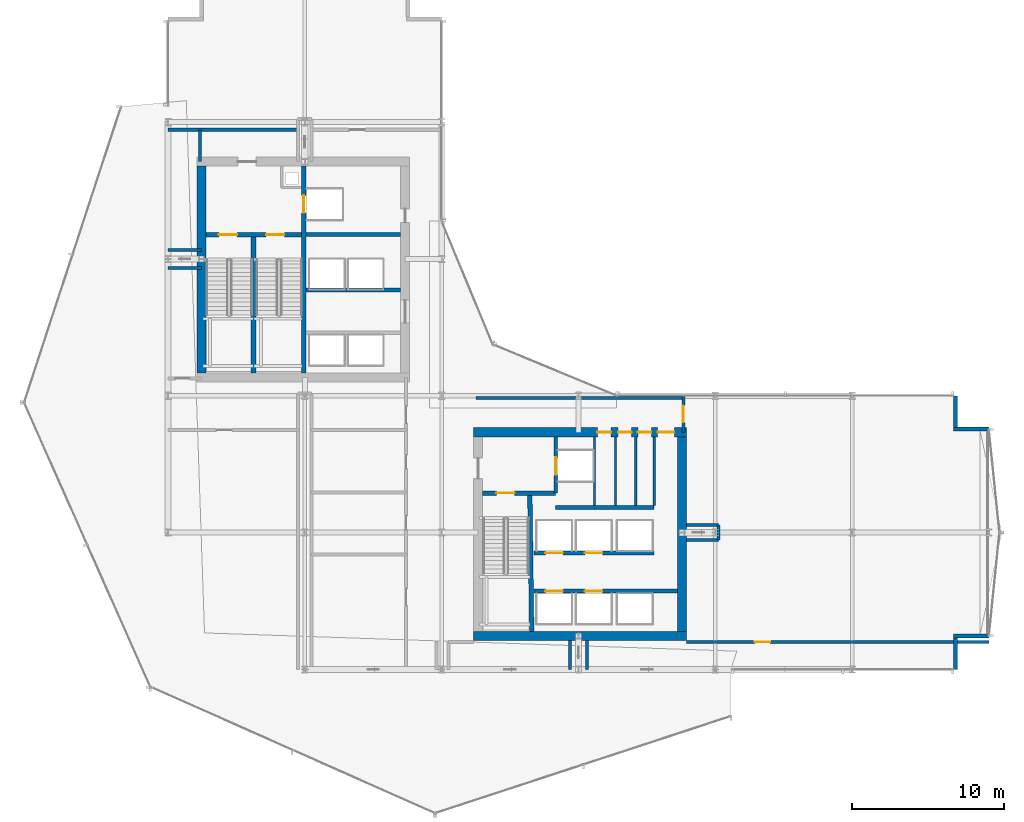
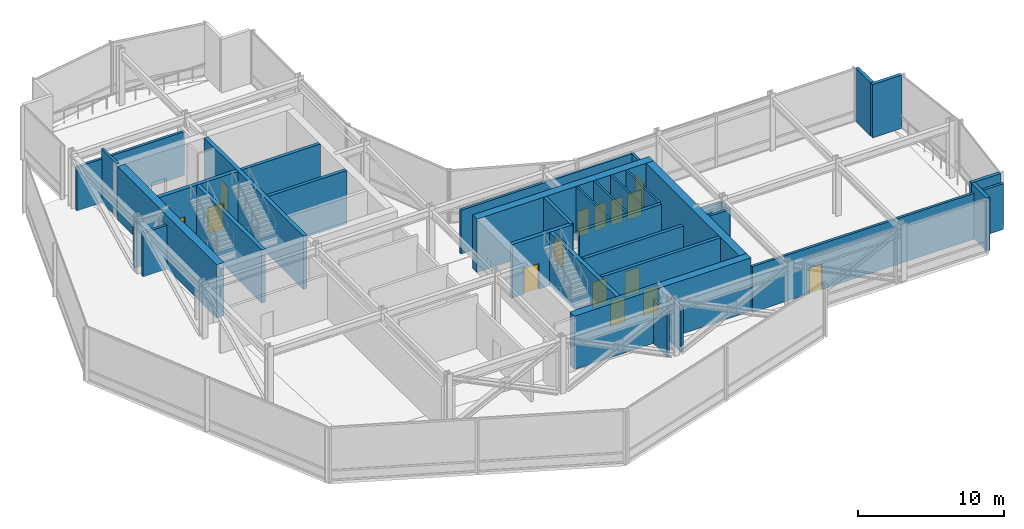
# One storey, part 35 of 42: 35 walls, 15 doors, 15 openings.
"""IFC4 building model written with IfcOpenShell, lengths in metres."""

from ifc_helpers import new_model, si_unit, direction, frame, frame_2d, origin, place, context, subcontext, project, spatial, rectangle, extrude, material, layer, layer_set, type_object, element, fill, save


model = new_model("IFC4")

# Units and contexts
model_context = context("Model", 3, precision=1e-05, world=origin(), true_north=direction((0.0, 1.0)))
body_context = subcontext(model_context, "Body", "Model", "MODEL_VIEW")
ifc_project = project(units=[si_unit("LENGTHUNIT", "METRE"), si_unit("AREAUNIT", "SQUARE_METRE"), si_unit("VOLUMEUNIT", "CUBIC_METRE"), si_unit("PLANEANGLEUNIT", "RADIAN"), si_unit("MASSUNIT", "GRAM", prefix="KILO")], contexts=[model_context])

# Site, building, storey
site_placement = place(None, origin())
site = spatial("IfcSite", under=ifc_project, at=site_placement, CompositionType="ELEMENT")
building_placement = place(site_placement, origin())
building = spatial("IfcBuilding", under=site, at=building_placement, Name="Solvaryn Broadcast Tower", CompositionType="ELEMENT")
storey_placement = place(building_placement, frame((0.0, 0.0, 100.199951171875)))
storey = spatial("IfcBuildingStorey", under=building, at=storey_placement, Name="L24", CompositionType="ELEMENT", Elevation=100.199951171875)

# Walls
ifc_material_1 = material(Name="Concrete f'c 70 MPa", Category="concrete")
ifc_layer_1 = layer(ifc_material_1, 0.60009765625)
ifc_layer_set_1 = layer_set([ifc_layer_1], Name="CW-SHEAR-600")
wall_type_1 = type_object("IfcWallType", Name="CW-SHEAR-600", PredefinedType="SHEAR", material=ifc_layer_set_1)
wall_1_placement = place(storey_placement, frame((11.199951171875, 42.10009765625, 0.0), z_axis=(0.0, 0.0, 1.0), x_axis=(0.0, -1.0, 0.0)))
element("IfcWall", 1, at=wall_1_placement, inside=storey, type_object=wall_type_1, Name="L24 West Core West Shear Wall", PredefinedType="SHEAR", context=body_context, shape_type="SweptSolid", body=[
    extrude(rectangle(XDim=13.60009765625, YDim=0.60009765625, at=frame_2d((6.800048828125, 0.0))), origin(), (0.0, 0.0, 1.0), 4.469970703125),
])
wall_2_placement = place(storey_placement, frame((29.10009765625, 11.199951171875, 0.0), z_axis=(0.0, 0.0, 1.0), x_axis=(1.0, 0.0, 0.0)))
element("IfcWall", 2, at=wall_2_placement, inside=storey, type_object=wall_type_1, Name="L24 East Core South Shear Wall", PredefinedType="SHEAR", context=body_context, shape_type="SweptSolid", body=[
    extrude(rectangle(XDim=14.0, YDim=0.60009765625, at=frame_2d((7.0, 0.0))), origin(), (0.0, 0.0, 1.0), 4.469970703125),
])

# Wall, openings, doors
wall_3_placement = place(storey_placement, frame((43.10009765625, 24.60009765625, 0.0), z_axis=(0.0, 0.0, 1.0), x_axis=(-1.0, 0.0, 0.0)))
wall_3 = element("IfcWall", 3, at=wall_3_placement, inside=storey, type_object=wall_type_1, Name="L24 East Core North Shear Wall", PredefinedType="SHEAR", context=body_context, shape_type="SweptSolid", body=[
    extrude(rectangle(XDim=14.0, YDim=0.60009765625, at=frame_2d((7.0, 0.0))), origin(), (0.0, 0.0, 1.0), 4.469970703125),
])
opening_1_placement = place(wall_3_placement, frame((0.800048828125, 0.0, 0.0)))
opening_1 = element("IfcOpeningElement", 4, at=opening_1_placement, cuts=wall_3, Name="Opening FD90C", PredefinedType="OPENING", context=body_context, shape_type="SweptSolid", body=[
    extrude(rectangle(XDim=1.10009765625, YDim=2.14990234375, at=frame_2d((0.550048828125, 1.074951171875))), frame((0.0, 0.31005859375, 0.0), z_axis=(0.0, -1.0, 0.0), x_axis=(1.0, 0.0, 0.0)), (0.0, 0.0, 1.0), 0.6201171875),
])
opening_2_placement = place(wall_3_placement, frame((2.300048828125, 0.0, 0.0)))
opening_2 = element("IfcOpeningElement", 5, at=opening_2_placement, cuts=wall_3, Name="Opening FD60C", PredefinedType="OPENING", context=body_context, shape_type="SweptSolid", body=[
    extrude(rectangle(XDim=0.89990234375, YDim=2.10009765625, at=frame_2d((0.449951171875, 1.050048828125))), frame((0.0, 0.31005859375, 0.0), z_axis=(0.0, -1.0, 0.0), x_axis=(1.0, 0.0, 0.0)), (0.0, 0.0, 1.0), 0.6201171875),
])
opening_3_placement = place(wall_3_placement, frame((3.60009765625, 0.0, 0.0)))
opening_3 = element("IfcOpeningElement", 6, at=opening_3_placement, cuts=wall_3, Name="Opening FD60C", PredefinedType="OPENING", context=body_context, shape_type="SweptSolid", body=[
    extrude(rectangle(XDim=0.89990234375, YDim=2.10009765625, at=frame_2d((0.449951171875, 1.050048828125))), frame((0.0, 0.31005859375, 0.0), z_axis=(0.0, -1.0, 0.0), x_axis=(1.0, 0.0, 0.0)), (0.0, 0.0, 1.0), 0.6201171875),
])
opening_4_placement = place(wall_3_placement, frame((4.949951171875, 0.0, 0.0)))
opening_4 = element("IfcOpeningElement", 7, at=opening_4_placement, cuts=wall_3, Name="Opening FD60C", PredefinedType="OPENING", context=body_context, shape_type="SweptSolid", body=[
    extrude(rectangle(XDim=0.89990234375, YDim=2.10009765625, at=frame_2d((0.449951171875, 1.050048828125))), frame((0.0, 0.31005859375, 0.0), z_axis=(0.0, -1.0, 0.0), x_axis=(1.0, 0.0, 0.0)), (0.0, 0.0, 1.0), 0.6201171875),
])
ifc_material_2 = material(Name="Flush Acoustic Steel and Timber Door Assembly", Category="steel")
door_type_1 = type_object("IfcDoorType", Name="FD60-SERV-900X2100", OperationType="NOTDEFINED", PredefinedType="DOOR", material=ifc_material_2)
door_1_placement = place(opening_2_placement, origin())
door_1 = element("IfcDoor", 8, at=door_1_placement, inside=storey, type_object=door_type_1, Name="L24 Core Wellness Room Door", OperationType="SINGLE_SWING_RIGHT", OverallHeight=2.10009765625, OverallWidth=0.89990234375, PredefinedType="DOOR", context=body_context, shape_type="SweptSolid", body=[
    extrude(rectangle(XDim=0.89990234375, YDim=2.10009765625, at=frame_2d((0.449951171875, 1.050048828125))), frame((0.0, 0.02490234375, 0.0), z_axis=(0.0, -1.0, 0.0), x_axis=(1.0, 0.0, 0.0)), (0.0, 0.0, 1.0), 0.050048828125),
])
fill(opening_2, door_1)
door_2_placement = place(opening_3_placement, origin())
door_2 = element("IfcDoor", 9, at=door_2_placement, inside=storey, type_object=door_type_1, Name="L24 Staff Restroom Door", OperationType="SINGLE_SWING_LEFT", OverallHeight=2.10009765625, OverallWidth=0.89990234375, PredefinedType="DOOR", context=body_context, shape_type="SweptSolid", body=[
    extrude(rectangle(XDim=0.89990234375, YDim=2.10009765625, at=frame_2d((0.449951171875, 1.050048828125))), frame((0.0, 0.02490234375, 0.0), z_axis=(0.0, -1.0, 0.0), x_axis=(1.0, 0.0, 0.0)), (0.0, 0.0, 1.0), 0.050048828125),
])
fill(opening_3, door_2)
door_3_placement = place(opening_4_placement, origin())
door_3 = element("IfcDoor", 10, at=door_3_placement, inside=storey, type_object=door_type_1, Name="L24 Accessible WC Door", OperationType="SINGLE_SWING_RIGHT", OverallHeight=2.10009765625, OverallWidth=0.89990234375, PredefinedType="DOOR", context=body_context, shape_type="SweptSolid", body=[
    extrude(rectangle(XDim=0.89990234375, YDim=2.10009765625, at=frame_2d((0.449951171875, 1.050048828125))), frame((0.0, 0.02490234375, 0.0), z_axis=(0.0, -1.0, 0.0), x_axis=(1.0, 0.0, 0.0)), (0.0, 0.0, 1.0), 0.050048828125),
])
fill(opening_4, door_3)
ifc_material_3 = material(Name="Flush Acoustic Steel and Timber Door Assembly", Category="steel")
door_type_2 = type_object("IfcDoorType", Name="FD90-PLANT-1100X2150", OperationType="NOTDEFINED", PredefinedType="DOOR", material=ifc_material_3)
door_4_placement = place(opening_1_placement, origin())
door_4 = element("IfcDoor", 11, at=door_4_placement, inside=storey, type_object=door_type_2, Name="L24 East Core Lobby Corridor Door", OperationType="SINGLE_SWING_LEFT", OverallHeight=2.14990234375, OverallWidth=1.10009765625, PredefinedType="DOOR", context=body_context, shape_type="SweptSolid", body=[
    extrude(rectangle(XDim=1.10009765625, YDim=2.14990234375, at=frame_2d((0.550048828125, 1.074951171875))), frame((0.0, 0.02490234375, 0.0), z_axis=(0.0, -1.0, 0.0), x_axis=(1.0, 0.0, 0.0)), (0.0, 0.0, 1.0), 0.050048828125),
])
fill(opening_1, door_4)

# Walls
wall_4_placement = place(storey_placement, frame((42.800048828125, 11.5, 0.0), z_axis=(0.0, 0.0, 1.0), x_axis=(0.0, 1.0, 0.0)))
element("IfcWall", 12, at=wall_4_placement, inside=storey, type_object=wall_type_1, Name="L24 East Core East Shear Wall", PredefinedType="SHEAR", context=body_context, shape_type="SweptSolid", body=[
    extrude(rectangle(XDim=12.800048828125, YDim=0.60009765625, at=frame_2d((6.39990234375, 0.0))), origin(), (0.0, 0.0, 1.0), 4.469970703125),
])
ifc_material_4 = material(Name="Concrete f'c 50 MPa", Category="concrete")
ifc_layer_2 = layer(ifc_material_4, 0.260009765625)
ifc_layer_set_2 = layer_set([ifc_layer_2], Name="EW-PIER-260")
wall_type_2 = type_object("IfcWallType", Name="EW-PIER-260", PredefinedType="SOLIDWALL", material=ifc_layer_set_2)
wall_5_placement = place(storey_placement, frame((60.800048828125, 9.0, 0.0), z_axis=(0.0, 0.0, 1.0), x_axis=(0.0, 1.0, 0.0)))
element("IfcWall", 13, at=wall_5_placement, inside=storey, type_object=wall_type_2, Name="L24 Notched Corner Pier Wall NSE1", PredefinedType="SOLIDWALL", context=body_context, shape_type="SweptSolid", body=[
    extrude(rectangle(XDim=2.080078125, YDim=0.260009765625, at=frame_2d((1.0400390625, 0.0))), origin(), (0.0, 0.0, 1.0), 4.469970703125),
])
for number, where, z_axis, x_axis, name in (
    (14, (60.679931640625, 11.199951171875, 0.0), (0.0, 0.0, 1.0), (1.0, 0.0, 0.0), "L24 Notched Corner Pier Wall NSE2"),
    (15, (63.0, 24.800048828125, 0.0), (0.0, 0.0, 1.0), (-1.0, 0.0, 0.0), "L24 Notched Corner Pier Wall NEE1"),
):
    element("IfcWall", number, at=place(storey_placement, frame(where, z_axis=z_axis, x_axis=x_axis)), inside=storey, type_object=wall_type_2, Name=name, PredefinedType="SOLIDWALL", context=body_context, shape_type="SweptSolid", body=[
        extrude(rectangle(XDim=2.320068359375, YDim=0.260009765625, at=frame_2d((1.16015625, 0.0))), origin(), (0.0, 0.0, 1.0), 4.469970703125),
    ])
wall_6_placement = place(storey_placement, frame((60.800048828125, 24.919921875, 0.0), z_axis=(0.0, 0.0, 1.0), x_axis=(0.0, 1.0, 0.0)))
element("IfcWall", 16, at=wall_6_placement, inside=storey, type_object=wall_type_2, Name="L24 Notched Corner Pier Wall NEE2", PredefinedType="SOLIDWALL", context=body_context, shape_type="SweptSolid", body=[
    extrude(rectangle(XDim=2.080078125, YDim=0.260009765625, at=frame_2d((1.0400390625, 0.0))), origin(), (0.0, 0.0, 1.0), 4.469970703125),
])
ifc_material_5 = material(Name="Metal-Stud Service Core Partition")
ifc_layer_3 = layer(ifc_material_5, 0.14990234375)
ifc_layer_set_3 = layer_set([ifc_layer_3], Name="IW-PART-150")
wall_type_3 = type_object("IfcWallType", Name="IW-PART-150", PredefinedType="PARTITIONING", material=ifc_layer_set_3)
for number, where, z_axis, x_axis, name in (
    (17, (37.050048828125, 19.780029296875, 0.0), (0.0, 0.0, 1.0), (0.0, 1.0, 0.0), "L24 Interior Partition IW-L24-CE-FL2E"),
    (18, (38.43994140625, 19.780029296875, 0.0), (0.0, 0.0, 1.0), (0.0, 1.0, 0.0), "L24 Interior Partition IW-L24-CE-V1"),
    (19, (39.77001953125, 19.780029296875, 0.0), (0.0, 0.0, 1.0), (0.0, 1.0, 0.0), "L24 Interior Partition IW-L24-CE-V2"),
    (20, (40.97998046875, 19.780029296875, 0.0), (0.0, 0.0, 1.0), (0.0, 1.0, 0.0), "L24 Interior Partition IW-L24-CE-V3"),
):
    element("IfcWall", number, at=place(storey_placement, frame(where, z_axis=z_axis, x_axis=x_axis)), inside=storey, type_object=wall_type_3, Name=name, PredefinedType="PARTITIONING", context=body_context, shape_type="SweptSolid", body=[
        extrude(rectangle(XDim=4.52001953125, YDim=0.14990234375, at=frame_2d((2.260009765625, 0.0))), origin(), (0.0, 0.0, 1.0), 4.469970703125),
    ])
ifc_material_6 = material(Name="Gypsum Fire-Rated Shaftwall Assembly", Category="concrete")
ifc_layer_4 = layer(ifc_material_6, 0.199951171875)
ifc_layer_set_4 = layer_set([ifc_layer_4], Name="IW-RATED-200")
wall_type_4 = type_object("IfcWallType", Name="IW-RATED-200", PredefinedType="PARTITIONING", material=ifc_layer_set_4)
for number, where, z_axis, x_axis, name in (
    (21, (9.0, 35.39990234375, 0.0), (0.0, 0.0, 1.0), (1.0, 0.0, 0.0), "L24 Interior Partition IW-L24-MW3N"),
    (22, (9.0, 36.60009765625, 0.0), (0.0, 0.0, 1.0), (1.0, 0.0, 0.0), "L24 Interior Partition IW-L24-MW3S"),
):
    element("IfcWall", number, at=place(storey_placement, frame(where, z_axis=z_axis, x_axis=x_axis)), inside=storey, type_object=wall_type_4, Name=name, PredefinedType="PARTITIONING", context=body_context, shape_type="SweptSolid", body=[
        extrude(rectangle(XDim=2.199951171875, YDim=0.199951171875, at=frame_2d((1.10009765625, 0.0))), origin(), (0.0, 0.0, 1.0), 3.677001953125),
    ])

# Wall, opening, door
wall_7_placement = place(storey_placement, frame((43.10009765625, 10.800048828125, 0.0), z_axis=(0.0, 0.0, 1.0), x_axis=(1.0, 0.0, 0.0)))
wall_7 = element("IfcWall", 23, at=wall_7_placement, inside=storey, type_object=wall_type_4, Name="L24 Interior Partition IW-L24-MW4B", PredefinedType="PARTITIONING", context=body_context, shape_type="SweptSolid", body=[
    extrude(rectangle(XDim=19.89990234375, YDim=0.199951171875, at=frame_2d((9.949951171875, 0.0))), origin(), (0.0, 0.0, 1.0), 3.842041015625),
])
opening_5_placement = place(wall_7_placement, frame((4.5, 0.0, 0.0)))
opening_5 = element("IfcOpeningElement", 24, at=opening_5_placement, cuts=wall_7, Name="Opening FD90D", PredefinedType="OPENING", context=body_context, shape_type="SweptSolid", body=[
    extrude(rectangle(XDim=1.0, YDim=2.14990234375, at=frame_2d((0.5, 1.074951171875))), frame((0.0, 0.110107421875, 0.0), z_axis=(0.0, -1.0, 0.0), x_axis=(1.0, 0.0, 0.0)), (0.0, 0.0, 1.0), 0.219970703125),
])
ifc_material_7 = material(Name="Flush Acoustic Steel and Timber Door Assembly", Category="steel")
door_type_3 = type_object("IfcDoorType", Name="FD90-FCC-1000X2150", OperationType="NOTDEFINED", PredefinedType="DOOR", material=ifc_material_7)
door_5_placement = place(opening_5_placement, origin())
door_5 = element("IfcDoor", 25, at=door_5_placement, inside=storey, type_object=door_type_3, Name="L24 Door DR-L24-MD5B", OperationType="SINGLE_SWING_RIGHT", OverallHeight=2.14990234375, OverallWidth=1.0, PredefinedType="DOOR", context=body_context, shape_type="SweptSolid", body=[
    extrude(rectangle(XDim=1.0, YDim=2.14990234375, at=frame_2d((0.5, 1.074951171875))), frame((0.0, 0.02490234375, 0.0), z_axis=(0.0, -1.0, 0.0), x_axis=(1.0, 0.0, 0.0)), (0.0, 0.0, 1.0), 0.050048828125),
])
fill(opening_5, door_5)

# Walls
for number, where, z_axis, x_axis, name in (
    (26, (35.449951171875, 9.0, 0.0), (0.0, 0.0, 1.0), (0.0, 1.0, 0.0), "L24 Interior Partition IW-L24-MW4W"),
    (27, (36.550048828125, 9.0, 0.0), (0.0, 0.0, 1.0), (0.0, 1.0, 0.0), "L24 Interior Partition IW-L24-MW4E"),
):
    element("IfcWall", number, at=place(storey_placement, frame(where, z_axis=z_axis, x_axis=x_axis)), inside=storey, type_object=wall_type_4, Name=name, PredefinedType="PARTITIONING", context=body_context, shape_type="SweptSolid", body=[
        extrude(rectangle(XDim=1.89990234375, YDim=0.199951171875, at=frame_2d((0.949951171875, 0.0))), origin(), (0.0, 0.0, 1.0), 3.677001953125),
    ])
wall_8_placement = place(storey_placement, frame((29.25, 26.85009765625, 0.0), z_axis=(0.0, 0.0, 1.0), x_axis=(1.0, 0.0, 0.0)))
element("IfcWall", 28, at=wall_8_placement, inside=storey, type_object=wall_type_4, Name="L24 Interior Partition IW-L24-MW6", PredefinedType="PARTITIONING", context=body_context, shape_type="SweptSolid", body=[
    extrude(rectangle(XDim=13.550048828125, YDim=0.199951171875, at=frame_2d((6.77490234375, 0.0))), origin(), (0.0, 0.0, 1.0), 3.677001953125),
])
wall_9_placement = place(storey_placement, frame((9.0, 44.5, 0.0), z_axis=(0.0, 0.0, 1.0), x_axis=(1.0, 0.0, 0.0)))
element("IfcWall", 29, at=wall_9_placement, inside=storey, type_object=wall_type_4, Name="L24 Interior Partition IW-L24-MW7A", PredefinedType="PARTITIONING", context=body_context, shape_type="SweptSolid", body=[
    extrude(rectangle(XDim=8.550048828125, YDim=0.199951171875, at=frame_2d((4.27490234375, 0.0))), origin(), (0.0, 0.0, 1.0), 3.677001953125),
])
wall_10_placement = place(storey_placement, frame((11.10009765625, 42.39990234375, 0.0), z_axis=(0.0, 0.0, 1.0), x_axis=(0.0, 1.0, 0.0)))
element("IfcWall", 30, at=wall_10_placement, inside=storey, type_object=wall_type_4, Name="L24 Interior Partition IW-L24-MW8", PredefinedType="PARTITIONING", context=body_context, shape_type="SweptSolid", body=[
    extrude(rectangle(XDim=2.10009765625, YDim=0.199951171875, at=frame_2d((1.050048828125, 0.0))), origin(), (0.0, 0.0, 1.0), 4.469970703125),
])

# Wall, opening, door
wall_11_placement = place(storey_placement, frame((42.89990234375, 24.60009765625, 0.0), z_axis=(0.0, 0.0, 1.0), x_axis=(0.0, 1.0, 0.0)))
wall_11 = element("IfcWall", 31, at=wall_11_placement, inside=storey, type_object=wall_type_4, Name="L24 Interior Partition IW-L24-MW9", PredefinedType="PARTITIONING", context=body_context, shape_type="SweptSolid", body=[
    extrude(rectangle(XDim=2.39990234375, YDim=0.199951171875, at=frame_2d((1.199951171875, 0.0))), origin(), (0.0, 0.0, 1.0), 3.677001953125),
])
opening_6_placement = place(wall_11_placement, frame((0.64990234375, 0.0, 0.0)))
opening_6 = element("IfcOpeningElement", 32, at=opening_6_placement, cuts=wall_11, Name="Opening FD90C", PredefinedType="OPENING", context=body_context, shape_type="SweptSolid", body=[
    extrude(rectangle(XDim=1.10009765625, YDim=2.14990234375, at=frame_2d((0.550048828125, 1.074951171875))), frame((0.0, 0.110107421875, 0.0), z_axis=(0.0, -1.0, 0.0), x_axis=(1.0, 0.0, 0.0)), (0.0, 0.0, 1.0), 0.219970703125),
])
door_6_placement = place(opening_6_placement, origin())
door_6 = element("IfcDoor", 33, at=door_6_placement, inside=storey, type_object=door_type_2, Name="L24 Door DR-L24-MD5A", OperationType="SINGLE_SWING_LEFT", OverallHeight=2.14990234375, OverallWidth=1.10009765625, PredefinedType="DOOR", context=body_context, shape_type="SweptSolid", body=[
    extrude(rectangle(XDim=1.10009765625, YDim=2.14990234375, at=frame_2d((0.550048828125, 1.074951171875))), frame((0.0, 0.02490234375, 0.0), z_axis=(0.0, -1.0, 0.0), x_axis=(1.0, 0.0, 0.0)), (0.0, 0.0, 1.0), 0.050048828125),
])
fill(opening_6, door_6)

# Walls
for number, where, z_axis, x_axis, name in (
    (34, (43.10009765625, 18.5, 0.0), (0.0, 0.0, 1.0), (1.0, 0.0, 0.0), "L24 Interior Partition IW-L24-MW9N"),
    (35, (43.10009765625, 17.5, 0.0), (0.0, 0.0, 1.0), (1.0, 0.0, 0.0), "L24 Interior Partition IW-L24-MW9S"),
):
    element("IfcWall", number, at=place(storey_placement, frame(where, z_axis=z_axis, x_axis=x_axis)), inside=storey, type_object=wall_type_4, Name=name, PredefinedType="PARTITIONING", context=body_context, shape_type="SweptSolid", body=[
        extrude(rectangle(XDim=2.099853515625, YDim=0.199951171875, at=frame_2d((1.0498046875, 0.0))), origin(), (0.0, 0.0, 1.0), 3.842041015625),
    ])
wall_12_placement = place(storey_placement, frame((45.199951171875, 17.5, 0.0), z_axis=(0.0, 0.0, 1.0), x_axis=(0.0, 1.0, 0.0)))
element("IfcWall", 36, at=wall_12_placement, inside=storey, type_object=wall_type_4, Name="L24 Interior Partition IW-L24-MW9E", PredefinedType="PARTITIONING", context=body_context, shape_type="SweptSolid", body=[
    extrude(rectangle(XDim=1.0, YDim=0.199951171875, at=frame_2d((0.5, 0.0))), origin(), (0.0, 0.0, 1.0), 3.839111328125),
])
ifc_material_8 = material(Name="Concrete f'c 60 MPa", Category="concrete")
ifc_layer_5 = layer(ifc_material_8, 0.25)
ifc_layer_set_5 = layer_set([ifc_layer_5], Name="SW-SHAFT-250")
wall_type_5 = type_object("IfcWallType", Name="SW-SHAFT-250", PredefinedType="PARTITIONING", material=ifc_layer_set_5)
for number, where, z_axis, x_axis, name in (
    (37, (18.070068359375, 37.60009765625, 0.0), (0.0, 0.0, 1.0), (1.0, 0.0, 0.0), "L24 West Core FSAE Hoistway Front Wall"),
    (38, (24.300048828125, 33.949951171875, 0.0), (0.0, 0.0, 1.0), (-1.0, 0.0, 0.0), "L24 High-Rise Lift Bank North Wall"),
):
    element("IfcWall", number, at=place(storey_placement, frame(where, z_axis=z_axis, x_axis=x_axis)), inside=storey, type_object=wall_type_5, Name=name, PredefinedType="PARTITIONING", context=body_context, shape_type="SweptSolid", body=[
        extrude(rectangle(XDim=6.22998046875, YDim=0.25, at=frame_2d((3.114990234375, 0.0))), origin(), (0.0, 0.0, 1.0), 4.469970703125),
    ])

# Wall, opening, door
wall_13_placement = place(storey_placement, frame((34.5, 20.60009765625, 0.0), z_axis=(0.0, 0.0, 1.0), x_axis=(0.0, 1.0, 0.0)))
wall_13 = element("IfcWall", 39, at=wall_13_placement, inside=storey, type_object=wall_type_5, Name="L24 East FSAE Lobby East Wall", PredefinedType="PARTITIONING", context=body_context, shape_type="SweptSolid", body=[
    extrude(rectangle(XDim=3.699951171875, YDim=0.25, at=frame_2d((1.85009765625, 0.0))), origin(), (0.0, 0.0, 1.0), 4.469970703125),
])
opening_7_placement = place(wall_13_placement, frame((1.199951171875, 0.0, 0.0)))
opening_7 = element("IfcOpeningElement", 40, at=opening_7_placement, cuts=wall_13, Name="Opening LD01", PredefinedType="OPENING", context=body_context, shape_type="SweptSolid", body=[
    extrude(rectangle(XDim=1.14990234375, YDim=2.14990234375, at=frame_2d((0.574951171875, 1.074951171875))), frame((0.0, 0.135009765625, 0.0), z_axis=(0.0, -1.0, 0.0), x_axis=(1.0, 0.0, 0.0)), (0.0, 0.0, 1.0), 0.27001953125),
])
ifc_material_9 = material(Name="Flush Acoustic Steel and Timber Door Assembly", Category="steel")
door_type_4 = type_object("IfcDoorType", Name="LD-LIFT-1150X2150", OperationType="NOTDEFINED", PredefinedType="DOOR", material=ifc_material_9)
door_7_placement = place(opening_7_placement, origin())
door_7 = element("IfcDoor", 41, at=door_7_placement, inside=storey, type_object=door_type_4, Name="L24 FL2 Lift Landing Door", OperationType="DOUBLE_DOOR_SLIDING", OverallHeight=2.14990234375, OverallWidth=1.14990234375, PredefinedType="DOOR", context=body_context, shape_type="SweptSolid", body=[
    extrude(rectangle(XDim=1.14990234375, YDim=2.14990234375, at=frame_2d((0.574951171875, 1.074951171875))), frame((0.0, 0.02490234375, 0.0), z_axis=(0.0, -1.0, 0.0), x_axis=(1.0, 0.0, 0.0)), (0.0, 0.0, 1.0), 0.050048828125),
])
fill(opening_7, door_7)

# Wall
wall_14_placement = place(storey_placement, frame((34.5, 19.64990234375, 0.0), z_axis=(0.0, 0.0, 1.0), x_axis=(1.0, 0.0, 0.0)))
element("IfcWall", 42, at=wall_14_placement, inside=storey, type_object=wall_type_5, Name="L24 East Core Restroom South Wall", PredefinedType="PARTITIONING", context=body_context, shape_type="SweptSolid", body=[
    extrude(rectangle(XDim=6.47998046875, YDim=0.25, at=frame_2d((3.239990234375, 0.0))), origin(), (0.0, 0.0, 1.0), 4.469970703125),
])

# Wall, openings, doors
wall_15_placement = place(storey_placement, frame((33.070068359375, 14.14990234375, 0.0), z_axis=(0.0, 0.0, 1.0), x_axis=(1.0, 0.0, 0.0)))
wall_15 = element("IfcWall", 43, at=wall_15_placement, inside=storey, type_object=wall_type_5, Name="L24 East Lift Bank South Wall", PredefinedType="PARTITIONING", context=body_context, shape_type="SweptSolid", body=[
    extrude(rectangle(XDim=9.429931640625, YDim=0.25, at=frame_2d((4.71484375, 0.0))), origin(), (0.0, 0.0, 1.0), 4.469970703125),
])
opening_8_placement = place(wall_15_placement, frame((0.7548828125, 0.0, 0.0)))
opening_8 = element("IfcOpeningElement", 44, at=opening_8_placement, cuts=wall_15, Name="Opening LD01", PredefinedType="OPENING", context=body_context, shape_type="SweptSolid", body=[
    extrude(rectangle(XDim=1.14990234375, YDim=2.14990234375, at=frame_2d((0.574951171875, 1.074951171875))), frame((0.0, 0.135009765625, 0.0), z_axis=(0.0, -1.0, 0.0), x_axis=(1.0, 0.0, 0.0)), (0.0, 0.0, 1.0), 0.27001953125),
])
opening_9_placement = place(wall_15_placement, frame((3.35498046875, 0.0, 0.0)))
opening_9 = element("IfcOpeningElement", 45, at=opening_9_placement, cuts=wall_15, Name="Opening LD01", PredefinedType="OPENING", context=body_context, shape_type="SweptSolid", body=[
    extrude(rectangle(XDim=1.14990234375, YDim=2.14990234375, at=frame_2d((0.574951171875, 1.074951171875))), frame((0.0, 0.135009765625, 0.0), z_axis=(0.0, -1.0, 0.0), x_axis=(1.0, 0.0, 0.0)), (0.0, 0.0, 1.0), 0.27001953125),
])
door_8_placement = place(opening_8_placement, origin())
door_8 = element("IfcDoor", 46, at=door_8_placement, inside=storey, type_object=door_type_4, Name="L24 PL1 Lift Landing Door", OperationType="DOUBLE_DOOR_SLIDING", OverallHeight=2.14990234375, OverallWidth=1.14990234375, PredefinedType="DOOR", context=body_context, shape_type="SweptSolid", body=[
    extrude(rectangle(XDim=1.14990234375, YDim=2.14990234375, at=frame_2d((0.574951171875, 1.074951171875))), frame((0.0, 0.02490234375, 0.0), z_axis=(0.0, -1.0, 0.0), x_axis=(1.0, 0.0, 0.0)), (0.0, 0.0, 1.0), 0.050048828125),
])
fill(opening_8, door_8)
door_9_placement = place(opening_9_placement, origin())
door_9 = element("IfcDoor", 47, at=door_9_placement, inside=storey, type_object=door_type_4, Name="L24 PL2 Lift Landing Door", OperationType="DOUBLE_DOOR_SLIDING", OverallHeight=2.14990234375, OverallWidth=1.14990234375, PredefinedType="DOOR", context=body_context, shape_type="SweptSolid", body=[
    extrude(rectangle(XDim=1.14990234375, YDim=2.14990234375, at=frame_2d((0.574951171875, 1.074951171875))), frame((0.0, 0.02490234375, 0.0), z_axis=(0.0, -1.0, 0.0), x_axis=(1.0, 0.0, 0.0)), (0.0, 0.0, 1.0), 0.050048828125),
])
fill(opening_9, door_9)

wall_16_placement = place(storey_placement, frame((40.97998046875, 16.64990234375, 0.0), z_axis=(0.0, 0.0, 1.0), x_axis=(-1.0, 0.0, 0.0)))
wall_16 = element("IfcWall", 48, at=wall_16_placement, inside=storey, type_object=wall_type_5, Name="L24 East Lift Bank North Wall", PredefinedType="PARTITIONING", context=body_context, shape_type="SweptSolid", body=[
    extrude(rectangle(XDim=7.909912109375, YDim=0.25, at=frame_2d((3.955078125, 0.0))), origin(), (0.0, 0.0, 1.0), 4.469970703125),
])
opening_10_placement = place(wall_16_placement, frame((6.0048828125, 0.0, 0.0)))
opening_10 = element("IfcOpeningElement", 49, at=opening_10_placement, cuts=wall_16, Name="Opening LD01", PredefinedType="OPENING", context=body_context, shape_type="SweptSolid", body=[
    extrude(rectangle(XDim=1.14990234375, YDim=2.14990234375, at=frame_2d((0.574951171875, 1.074951171875))), frame((0.0, 0.135009765625, 0.0), z_axis=(0.0, -1.0, 0.0), x_axis=(1.0, 0.0, 0.0)), (0.0, 0.0, 1.0), 0.27001953125),
])
opening_11_placement = place(wall_16_placement, frame((3.405029296875, 0.0, 0.0)))
opening_11 = element("IfcOpeningElement", 50, at=opening_11_placement, cuts=wall_16, Name="Opening LD01", PredefinedType="OPENING", context=body_context, shape_type="SweptSolid", body=[
    extrude(rectangle(XDim=1.14990234375, YDim=2.14990234375, at=frame_2d((0.574951171875, 1.074951171875))), frame((0.0, 0.135009765625, 0.0), z_axis=(0.0, -1.0, 0.0), x_axis=(1.0, 0.0, 0.0)), (0.0, 0.0, 1.0), 0.27001953125),
])
door_10_placement = place(opening_10_placement, origin())
door_10 = element("IfcDoor", 51, at=door_10_placement, inside=storey, type_object=door_type_4, Name="L24 PL3 Lift Landing Door", OperationType="DOUBLE_DOOR_SLIDING", OverallHeight=2.14990234375, OverallWidth=1.14990234375, PredefinedType="DOOR", context=body_context, shape_type="SweptSolid", body=[
    extrude(rectangle(XDim=1.14990234375, YDim=2.14990234375, at=frame_2d((0.574951171875, 1.074951171875))), frame((0.0, 0.02490234375, 0.0), z_axis=(0.0, -1.0, 0.0), x_axis=(1.0, 0.0, 0.0)), (0.0, 0.0, 1.0), 0.050048828125),
])
fill(opening_10, door_10)
door_11_placement = place(opening_11_placement, origin())
door_11 = element("IfcDoor", 52, at=door_11_placement, inside=storey, type_object=door_type_4, Name="L24 PL4 Lift Landing Door", OperationType="DOUBLE_DOOR_SLIDING", OverallHeight=2.14990234375, OverallWidth=1.14990234375, PredefinedType="DOOR", context=body_context, shape_type="SweptSolid", body=[
    extrude(rectangle(XDim=1.14990234375, YDim=2.14990234375, at=frame_2d((0.574951171875, 1.074951171875))), frame((0.0, 0.02490234375, 0.0), z_axis=(0.0, -1.0, 0.0), x_axis=(1.0, 0.0, 0.0)), (0.0, 0.0, 1.0), 0.050048828125),
])
fill(opening_11, door_11)

# Wall
ifc_material_10 = material(Name="Concrete f'c 70 MPa", Category="concrete")
ifc_layer_6 = layer(ifc_material_10, 0.300048828125)
ifc_layer_set_6 = layer_set([ifc_layer_6], Name="SW-SHAFT-300")
wall_type_6 = type_object("IfcWallType", Name="SW-SHAFT-300", PredefinedType="SHEAR", material=ifc_layer_set_6)
wall_17_placement = place(storey_placement, frame((14.6201171875, 28.5, 0.0), z_axis=(0.0, 0.0, 1.0), x_axis=(0.0, 1.0, 0.0)))
element("IfcWall", 53, at=wall_17_placement, inside=storey, type_object=wall_type_6, Name="L24 Stair 1-2 Dividing Wall", PredefinedType="SHEAR", context=body_context, shape_type="SweptSolid", body=[
    extrude(rectangle(XDim=8.949951171875, YDim=0.300048828125, at=frame_2d((4.47509765625, 0.0))), origin(), (0.0, 0.0, 1.0), 4.469970703125),
])

# Wall, opening, door
wall_18_placement = place(storey_placement, frame((17.919921875, 42.10009765625, 0.0), z_axis=(0.0, 0.0, 1.0), x_axis=(0.0, -1.0, 0.0)))
wall_18 = element("IfcWall", 54, at=wall_18_placement, inside=storey, type_object=wall_type_6, Name="L24 West Core Stair-Lobby Shear Wall", PredefinedType="SHEAR", context=body_context, shape_type="SweptSolid", body=[
    extrude(rectangle(XDim=13.60009765625, YDim=0.300048828125, at=frame_2d((6.800048828125, 0.0))), origin(), (0.0, 0.0, 1.0), 4.469970703125),
])
opening_12_placement = place(wall_18_placement, frame((1.925048828125, 0.0, 0.0)))
opening_12 = element("IfcOpeningElement", 55, at=opening_12_placement, cuts=wall_18, Name="Opening LD01", PredefinedType="OPENING", context=body_context, shape_type="SweptSolid", body=[
    extrude(rectangle(XDim=1.14990234375, YDim=2.14990234375, at=frame_2d((0.574951171875, 1.074951171875))), frame((0.0, 0.159912109375, 0.0), z_axis=(0.0, -1.0, 0.0), x_axis=(1.0, 0.0, 0.0)), (0.0, 0.0, 1.0), 0.320068359375),
])
door_12_placement = place(opening_12_placement, origin())
door_12 = element("IfcDoor", 56, at=door_12_placement, inside=storey, type_object=door_type_4, Name="L24 FL1 Lift Landing Door", OperationType="DOUBLE_DOOR_SLIDING", OverallHeight=2.14990234375, OverallWidth=1.14990234375, PredefinedType="DOOR", context=body_context, shape_type="SweptSolid", body=[
    extrude(rectangle(XDim=1.14990234375, YDim=2.14990234375, at=frame_2d((0.574951171875, 1.074951171875))), frame((0.0, 0.02490234375, 0.0), z_axis=(0.0, -1.0, 0.0), x_axis=(1.0, 0.0, 0.0)), (0.0, 0.0, 1.0), 0.050048828125),
])
fill(opening_12, door_12)

# Wall, openings, doors
wall_19_placement = place(storey_placement, frame((17.77001953125, 37.60009765625, 0.0), z_axis=(0.0, 0.0, 1.0), x_axis=(-1.0, 0.0, 0.0)))
wall_19 = element("IfcWall", 57, at=wall_19_placement, inside=storey, type_object=wall_type_6, Name="L24 West Core FSAE Lobby South Wall", PredefinedType="SHEAR", context=body_context, shape_type="SweptSolid", body=[
    extrude(rectangle(XDim=6.27001953125, YDim=0.300048828125, at=frame_2d((3.135009765625, 0.0))), origin(), (0.0, 0.0, 1.0), 4.469970703125),
])
opening_13_placement = place(wall_19_placement, frame((4.219970703125, 0.0, 0.0)))
opening_13 = element("IfcOpeningElement", 58, at=opening_13_placement, cuts=wall_19, Name="Opening FD90A", PredefinedType="OPENING", context=body_context, shape_type="SweptSolid", body=[
    extrude(rectangle(XDim=1.199951171875, YDim=2.14990234375, at=frame_2d((0.60009765625, 1.074951171875))), frame((0.0, 0.159912109375, 0.0), z_axis=(0.0, -1.0, 0.0), x_axis=(1.0, 0.0, 0.0)), (0.0, 0.0, 1.0), 0.320068359375),
])
opening_14_placement = place(wall_19_placement, frame((1.1201171875, 0.0, 0.0)))
opening_14 = element("IfcOpeningElement", 59, at=opening_14_placement, cuts=wall_19, Name="Opening FD90A", PredefinedType="OPENING", context=body_context, shape_type="SweptSolid", body=[
    extrude(rectangle(XDim=1.199951171875, YDim=2.14990234375, at=frame_2d((0.60009765625, 1.074951171875))), frame((0.0, 0.159912109375, 0.0), z_axis=(0.0, -1.0, 0.0), x_axis=(1.0, 0.0, 0.0)), (0.0, 0.0, 1.0), 0.320068359375),
])
ifc_material_11 = material(Name="Flush Acoustic Steel and Timber Door Assembly", Category="steel")
door_type_5 = type_object("IfcDoorType", Name="FD90-STAIR-1200X2150", OperationType="NOTDEFINED", PredefinedType="DOOR", material=ifc_material_11)
door_13_placement = place(opening_13_placement, origin())
door_13 = element("IfcDoor", 60, at=door_13_placement, inside=storey, type_object=door_type_5, Name="L24 Stair 1 Fire Door", OperationType="SINGLE_SWING_LEFT", OverallHeight=2.14990234375, OverallWidth=1.199951171875, PredefinedType="DOOR", context=body_context, shape_type="SweptSolid", body=[
    extrude(rectangle(XDim=1.199951171875, YDim=2.14990234375, at=frame_2d((0.60009765625, 1.074951171875))), frame((0.0, 0.02490234375, 0.0), z_axis=(0.0, -1.0, 0.0), x_axis=(1.0, 0.0, 0.0)), (0.0, 0.0, 1.0), 0.050048828125),
])
fill(opening_13, door_13)
door_14_placement = place(opening_14_placement, origin())
door_14 = element("IfcDoor", 61, at=door_14_placement, inside=storey, type_object=door_type_5, Name="L24 Stair 2 Fire Door", OperationType="SINGLE_SWING_RIGHT", OverallHeight=2.14990234375, OverallWidth=1.199951171875, PredefinedType="DOOR", context=body_context, shape_type="SweptSolid", body=[
    extrude(rectangle(XDim=1.199951171875, YDim=2.14990234375, at=frame_2d((0.60009765625, 1.074951171875))), frame((0.0, 0.02490234375, 0.0), z_axis=(0.0, -1.0, 0.0), x_axis=(1.0, 0.0, 0.0)), (0.0, 0.0, 1.0), 0.050048828125),
])
fill(opening_14, door_14)

# Wall
wall_20_placement = place(storey_placement, frame((32.919921875, 11.5, 0.0), z_axis=(0.0, 0.0, 1.0), x_axis=(-0.013244407292, 0.999912288991, 0.0)))
element("IfcWall", 62, at=wall_20_placement, inside=storey, type_object=wall_type_6, Name="L24 Stair 3 East Shear Wall", PredefinedType="SHEAR", context=body_context, shape_type="SweptSolid", body=[
    extrude(rectangle(XDim=9.05078125, YDim=0.300048828125, at=frame_2d((4.525390625, 0.0))), origin(), (0.0, 0.0, 1.0), 4.469970703125),
])

# Wall, opening, door
wall_21_placement = place(storey_placement, frame((34.5, 20.60009765625, 0.0), z_axis=(0.0, 0.0, 1.0), x_axis=(-1.0, 0.0, 0.0)))
wall_21 = element("IfcWall", 63, at=wall_21_placement, inside=storey, type_object=wall_type_6, Name="L24 East FSAE Lobby South Wall", PredefinedType="SHEAR", context=body_context, shape_type="SweptSolid", body=[
    extrude(rectangle(XDim=4.800048828125, YDim=0.300048828125, at=frame_2d((2.39990234375, 0.0))), origin(), (0.0, 0.0, 1.0), 4.469970703125),
])
opening_15_placement = place(wall_21_placement, frame((2.699951171875, 0.0, 0.0)))
opening_15 = element("IfcOpeningElement", 64, at=opening_15_placement, cuts=wall_21, Name="Opening FD90A", PredefinedType="OPENING", context=body_context, shape_type="SweptSolid", body=[
    extrude(rectangle(XDim=1.199951171875, YDim=2.14990234375, at=frame_2d((0.60009765625, 1.074951171875))), frame((0.0, 0.159912109375, 0.0), z_axis=(0.0, -1.0, 0.0), x_axis=(1.0, 0.0, 0.0)), (0.0, 0.0, 1.0), 0.320068359375),
])
door_15_placement = place(opening_15_placement, origin())
door_15 = element("IfcDoor", 65, at=door_15_placement, inside=storey, type_object=door_type_5, Name="L24 Stair 3 Fire Door", OperationType="SINGLE_SWING_LEFT", OverallHeight=2.14990234375, OverallWidth=1.199951171875, PredefinedType="DOOR", context=body_context, shape_type="SweptSolid", body=[
    extrude(rectangle(XDim=1.199951171875, YDim=2.14990234375, at=frame_2d((0.60009765625, 1.074951171875))), frame((0.0, 0.02490234375, 0.0), z_axis=(0.0, -1.0, 0.0), x_axis=(1.0, 0.0, 0.0)), (0.0, 0.0, 1.0), 0.050048828125),
])
fill(opening_15, door_15)

save(model, "model.ifc")
